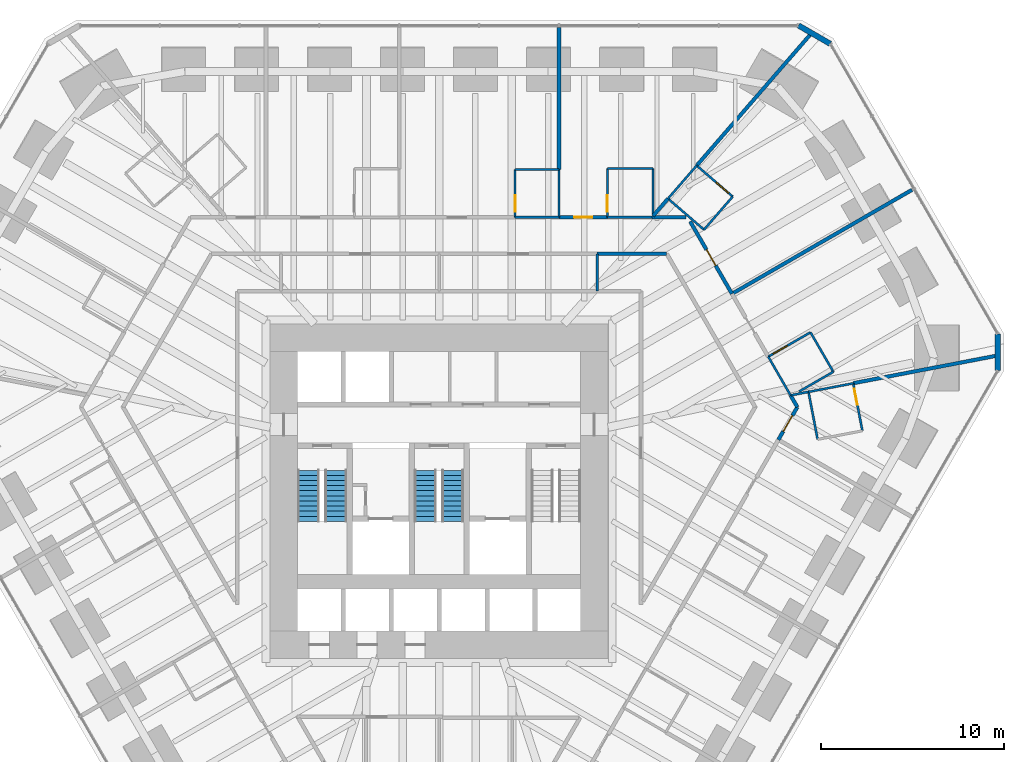
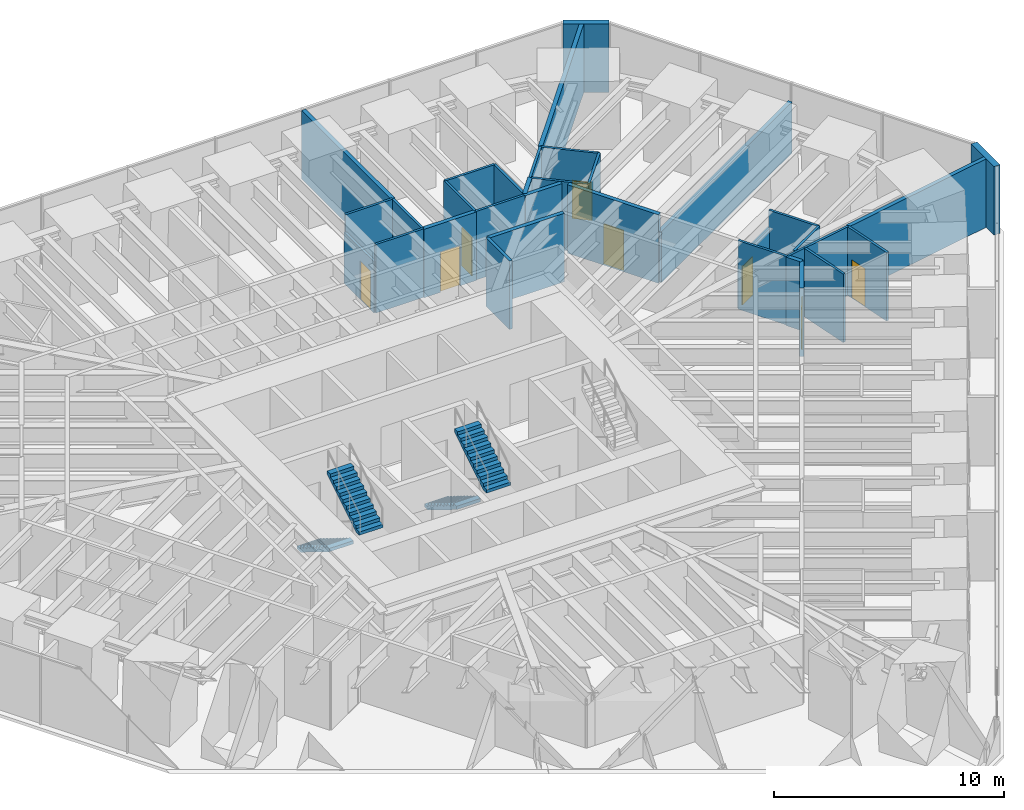
# One storey, part 15 of 17: 34 walls, 8 doors, 4 stair flights, 8 openings, 2 elements without a shape of their own.
"""IFC4 building model written with IfcOpenShell, lengths in metres."""

from ifc_helpers import new_model, si_unit, direction, frame, frame_2d, origin, place, context, subcontext, project, spatial, polyline, rectangle, outline, extrude, material, layer, layer_set, type_object, element, fill, aggregate, save


model = new_model("IFC4")

# Units and contexts
model_context = context("Model", 3, precision=1e-05, world=origin(), true_north=direction((0.0, 1.0)))
body_context = subcontext(model_context, "Body", "Model", "MODEL_VIEW")
ifc_project = project(units=[si_unit("LENGTHUNIT", "METRE"), si_unit("AREAUNIT", "SQUARE_METRE"), si_unit("VOLUMEUNIT", "CUBIC_METRE"), si_unit("PLANEANGLEUNIT", "RADIAN"), si_unit("MASSUNIT", "GRAM", prefix="KILO")], contexts=[model_context])

# Site, building, storey
site_placement = place(None, origin())
site = spatial("IfcSite", under=ifc_project, at=site_placement, CompositionType="ELEMENT")
building_placement = place(site_placement, origin())
building = spatial("IfcBuilding", under=site, at=building_placement, Name="Sandreach Pilgrim Tower", CompositionType="ELEMENT")
storey_placement = place(building_placement, frame((0.0, 0.0, 87.60009765625)))
storey = spatial("IfcBuildingStorey", under=building, at=storey_placement, Name="L21", CompositionType="ELEMENT", Elevation=87.60009765625)

# Wall
ifc_material_1 = material(Name="Gypsum board on steel studs", Category="steel")
ifc_layer_1 = layer(ifc_material_1, 0.14990234375)
ifc_layer_set_1 = layer_set([ifc_layer_1], Name="Back of house wall 150")
wall_type_1 = type_object("IfcWallType", Name="Back of house wall 150", PredefinedType="PARTITIONING", material=ifc_layer_set_1)
wall_1_placement = place(storey_placement, frame((8.64990234375, 11.449951171875, 0.0), z_axis=(0.0, 0.0, 1.0), x_axis=(0.0, -1.0, 0.0)))
element("IfcWall", 1, at=wall_1_placement, inside=storey, type_object=wall_type_1, Name="Back of house wall L21-103", PredefinedType="PARTITIONING", context=body_context, shape_type="SweptSolid", body=[
    extrude(rectangle(XDim=2.050048828125, YDim=0.14990234375, at=frame_2d((1.02490234375, 0.0))), origin(), (0.0, 0.0, 1.0), 3.639892578125),
])

# Wall, opening, door
ifc_material_2 = material(Name="Moisture-resistant gypsum board on steel studs", Category="steel")
ifc_layer_2 = layer(ifc_material_2, 0.1201171875)
ifc_layer_set_2 = layer_set([ifc_layer_2], Name="Bathroom partition 120")
wall_type_2 = type_object("IfcWallType", Name="Bathroom partition 120", PredefinedType="PARTITIONING", material=ifc_layer_set_2)
wall_2_placement = place(storey_placement, frame((4.159912109375, 16.070068359375, 0.0), z_axis=(0.0, 0.0, 1.0), x_axis=(0.0, -1.0, 0.0)))
wall_2 = element("IfcWall", 2, at=wall_2_placement, inside=storey, type_object=wall_type_2, Name="Bathroom partition L21-085", PredefinedType="PARTITIONING", context=body_context, shape_type="SweptSolid", body=[
    extrude(rectangle(XDim=2.6201171875, YDim=0.1201171875, at=frame_2d((1.31005859375, 0.0))), origin(), (0.0, 0.0, 1.0), 2.712890625),
])
opening_1_placement = place(wall_2_placement, frame((1.419921875, 0.0, 0.0)))
opening_1 = element("IfcOpeningElement", 3, at=opening_1_placement, cuts=wall_2, Name="Opening D09-03B", PredefinedType="OPENING", context=body_context, shape_type="SweptSolid", body=[
    extrude(rectangle(XDim=0.89990234375, YDim=2.030029296875, at=frame_2d((0.449951171875, 1.01513671875))), frame((0.0, 0.06005859375, 0.0), z_axis=(0.0, -1.0, 0.0), x_axis=(1.0, 0.0, 0.0)), (0.0, 0.0, 1.0), 0.1201171875),
])
ifc_material_3 = material(Name="Timber door, steel frame", Category="steel")
door_type_1 = type_object("IfcDoorType", Name="Bathroom door", OperationType="SINGLE_SWING_LEFT", PredefinedType="DOOR", material=ifc_material_3)
door_1_placement = place(opening_1_placement, origin())
door_1 = element("IfcDoor", 4, at=door_1_placement, inside=storey, type_object=door_type_1, Name="Door 2103B", OperationType="SINGLE_SWING_RIGHT", OverallHeight=2.030029296875, OverallWidth=0.89990234375, PredefinedType="DOOR", context=body_context, shape_type="SweptSolid", body=[
    extrude(rectangle(XDim=0.89990234375, YDim=2.030029296875, at=frame_2d((0.449951171875, 1.01513671875))), frame((0.0, 0.02490234375, 0.0), z_axis=(0.0, -1.0, 0.0), x_axis=(1.0, 0.0, 0.0)), (0.0, 0.0, 1.0), 0.050048828125),
])
fill(opening_1, door_1)

# Walls
for number, where, z_axis, x_axis, name in (
    (5, (6.56005859375, 13.449951171875, 0.0), (0.0, 0.0, 1.0), (-1.0, 0.0, 0.0), "Bathroom partition L21-090"),
    (6, (6.56005859375, 16.070068359375, 0.0), (0.0, 0.0, 1.0), (-1.0, 0.0, 0.0), "Bathroom partition L21-091"),
):
    element("IfcWall", number, at=place(storey_placement, frame(where, z_axis=z_axis, x_axis=x_axis)), inside=storey, type_object=wall_type_2, Name=name, PredefinedType="PARTITIONING", context=body_context, shape_type="SweptSolid", body=[
        extrude(rectangle(XDim=2.400146484375, YDim=0.1201171875, at=frame_2d((1.2001953125, 0.0))), origin(), (0.0, 0.0, 1.0), 3.639892578125),
    ])
wall_3_placement = place(storey_placement, frame((6.56005859375, 16.070068359375, 0.0), z_axis=(0.0, 0.0, 1.0), x_axis=(0.0, -1.0, 0.0)))
element("IfcWall", 7, at=wall_3_placement, inside=storey, type_object=wall_type_2, Name="Bathroom partition L21-092", PredefinedType="PARTITIONING", context=body_context, shape_type="SweptSolid", body=[
    extrude(rectangle(XDim=2.6201171875, YDim=0.1201171875, at=frame_2d((1.31005859375, 0.0))), origin(), (0.0, 0.0, 1.0), 3.639892578125),
])

# Wall, opening, door
wall_4_placement = place(storey_placement, frame((9.2099609375, 16.1201171875, 0.0), z_axis=(0.0, 0.0, 1.0), x_axis=(0.0, -1.0, 0.0)))
wall_4 = element("IfcWall", 8, at=wall_4_placement, inside=storey, type_object=wall_type_2, Name="Bathroom partition L21-107", PredefinedType="PARTITIONING", context=body_context, shape_type="SweptSolid", body=[
    extrude(rectangle(XDim=2.670166015625, YDim=0.1201171875, at=frame_2d((1.3349609375, 0.0))), origin(), (0.0, 0.0, 1.0), 3.639892578125),
])
opening_2_placement = place(wall_4_placement, frame((1.469970703125, 0.0, 0.0)))
opening_2 = element("IfcOpeningElement", 9, at=opening_2_placement, cuts=wall_4, Name="Opening D09-04B", PredefinedType="OPENING", context=body_context, shape_type="SweptSolid", body=[
    extrude(rectangle(XDim=0.89990234375, YDim=2.030029296875, at=frame_2d((0.449951171875, 1.01513671875))), frame((0.0, 0.06005859375, 0.0), z_axis=(0.0, -1.0, 0.0), x_axis=(1.0, 0.0, 0.0)), (0.0, 0.0, 1.0), 0.1201171875),
])
door_2_placement = place(opening_2_placement, origin())
door_2 = element("IfcDoor", 10, at=door_2_placement, inside=storey, type_object=door_type_1, Name="Door 2104B", OperationType="SINGLE_SWING_RIGHT", OverallHeight=2.030029296875, OverallWidth=0.89990234375, PredefinedType="DOOR", context=body_context, shape_type="SweptSolid", body=[
    extrude(rectangle(XDim=0.89990234375, YDim=2.030029296875, at=frame_2d((0.449951171875, 1.01513671875))), frame((0.0, 0.02490234375, 0.0), z_axis=(0.0, -1.0, 0.0), x_axis=(1.0, 0.0, 0.0)), (0.0, 0.0, 1.0), 0.050048828125),
])
fill(opening_2, door_2)

# Walls
wall_5_placement = place(storey_placement, frame((11.64990234375, 13.449951171875, 0.0), z_axis=(0.0, 0.0, 1.0), x_axis=(-1.0, 0.0, 0.0)))
element("IfcWall", 11, at=wall_5_placement, inside=storey, type_object=wall_type_2, Name="Bathroom partition L21-114", PredefinedType="PARTITIONING", context=body_context, shape_type="SweptSolid", body=[
    extrude(rectangle(XDim=2.43994140625, YDim=0.1201171875, at=frame_2d((1.219970703125, 0.0))), origin(), (0.0, 0.0, 1.0), 3.639892578125),
])
wall_6_placement = place(storey_placement, frame((11.7099609375, 13.60498046875, 0.0), z_axis=(0.0, 0.0, 1.0), x_axis=(0.0, 1.0, 0.0)))
element("IfcWall", 12, at=wall_6_placement, inside=storey, type_object=wall_type_2, Name="Bathroom partition L21-115", PredefinedType="PARTITIONING", context=body_context, shape_type="SweptSolid", body=[
    extrude(rectangle(XDim=2.51513671875, YDim=0.1201171875, at=frame_2d((1.257568359375, 0.0))), origin(), (0.0, 0.0, 1.0), 3.639892578125),
])
wall_7_placement = place(storey_placement, frame((11.7099609375, 16.1201171875, 0.0), z_axis=(0.0, 0.0, 1.0), x_axis=(-1.0, 0.0, 0.0)))
element("IfcWall", 13, at=wall_7_placement, inside=storey, type_object=wall_type_2, Name="Bathroom partition L21-116", PredefinedType="PARTITIONING", context=body_context, shape_type="SweptSolid", body=[
    extrude(rectangle(XDim=2.5, YDim=0.1201171875, at=frame_2d((1.25, 0.0))), origin(), (0.0, 0.0, 1.0), 3.639892578125),
])
wall_8_placement = place(storey_placement, frame((12.530029296875, 14.469970703125, 0.0), z_axis=(0.0, 0.0, 1.0), x_axis=(0.655194291402, 0.755460416245, 0.0)))
element("IfcWall", 14, at=wall_8_placement, inside=storey, type_object=wall_type_2, Name="Bathroom partition L21-120", PredefinedType="PARTITIONING", context=body_context, shape_type="SweptSolid", body=[
    extrude(rectangle(XDim=2.39599609375, YDim=0.1201171875, at=frame_2d((1.197998046875, 0.0))), origin(), (0.0, 0.0, 1.0), 3.639892578125),
])
wall_9_placement = place(storey_placement, frame((12.530029296875, 14.469970703125, 0.0), z_axis=(0.0, 0.0, 1.0), x_axis=(0.757086659925, -0.653314464377, 0.0)))
element("IfcWall", 15, at=wall_9_placement, inside=storey, type_object=wall_type_2, Name="Bathroom partition L21-121", PredefinedType="PARTITIONING", context=body_context, shape_type="SweptSolid", body=[
    extrude(rectangle(XDim=2.60205078125, YDim=0.1201171875, at=frame_2d((1.301025390625, 0.0))), origin(), (0.0, 0.0, 1.0), 3.639892578125),
])
wall_10_placement = place(storey_placement, frame((14.5, 12.77001953125, 0.0), z_axis=(0.0, 0.0, 1.0), x_axis=(0.655252439976, 0.755409981338, 0.0)))
element("IfcWall", 16, at=wall_10_placement, inside=storey, type_object=wall_type_2, Name="Bathroom partition L21-127", PredefinedType="PARTITIONING", context=body_context, shape_type="SweptSolid", body=[
    extrude(rectangle(XDim=2.396240234375, YDim=0.1201171875, at=frame_2d((1.1982421875, 0.0))), origin(), (0.0, 0.0, 1.0), 3.639892578125),
])

# Wall, opening, door
wall_11_placement = place(storey_placement, frame((16.070068359375, 14.580078125, 0.0), z_axis=(0.0, 0.0, 1.0), x_axis=(-0.757086659925, 0.653314464377, 0.0)))
wall_11 = element("IfcWall", 17, at=wall_11_placement, inside=storey, type_object=wall_type_2, Name="Bathroom partition L21-131", PredefinedType="PARTITIONING", context=body_context, shape_type="SweptSolid", body=[
    extrude(rectangle(XDim=2.60205078125, YDim=0.1201171875, at=frame_2d((1.301025390625, 0.0))), origin(), (0.0, 0.0, 1.0), 3.639892578125),
])
opening_3_placement = place(wall_11_placement, frame((0.300048828125, 0.0, 0.0)))
opening_3 = element("IfcOpeningElement", 18, at=opening_3_placement, cuts=wall_11, Name="Opening D09-05B", PredefinedType="OPENING", context=body_context, shape_type="SweptSolid", body=[
    extrude(rectangle(XDim=0.89990234375, YDim=2.030029296875, at=frame_2d((0.449951171875, 1.01513671875))), frame((0.0, 0.06005859375, 0.0), z_axis=(0.0, -1.0, 0.0), x_axis=(1.0, 0.0, 0.0)), (0.0, 0.0, 1.0), 0.1201171875),
])
door_3_placement = place(opening_3_placement, origin())
door_3 = element("IfcDoor", 19, at=door_3_placement, inside=storey, type_object=door_type_1, Name="Door 2105B", OperationType="SINGLE_SWING_LEFT", OverallHeight=2.030029296875, OverallWidth=0.89990234375, PredefinedType="DOOR", context=body_context, shape_type="SweptSolid", body=[
    extrude(rectangle(XDim=0.89990234375, YDim=2.030029296875, at=frame_2d((0.449951171875, 1.01513671875))), frame((0.0, 0.02490234375, 0.0), z_axis=(0.0, -1.0, 0.0), x_axis=(1.0, 0.0, 0.0)), (0.0, 0.0, 1.0), 0.050048828125),
])
fill(opening_3, door_3)

# Walls
wall_12_placement = place(storey_placement, frame((18.017578125, 5.818603515625, 0.0), z_axis=(0.0, 0.0, 1.0), x_axis=(0.499757016066, -0.866165645181, 0.0)))
element("IfcWall", 20, at=wall_12_placement, inside=storey, type_object=wall_type_2, Name="Bathroom partition L21-137", PredefinedType="PARTITIONING", context=body_context, shape_type="SweptSolid", body=[
    extrude(rectangle(XDim=2.446044921875, YDim=0.1201171875, at=frame_2d((1.22314453125, 0.0))), origin(), (0.0, 0.0, 1.0), 3.639892578125),
])
wall_13_placement = place(storey_placement, frame((19.2744140625, 3.706787109375, 0.0), z_axis=(0.0, 0.0, 1.0), x_axis=(0.980619649475, 0.195921165429, 0.0)))
element("IfcWall", 21, at=wall_13_placement, inside=storey, type_object=wall_type_2, Name="Bathroom partition L21-140", PredefinedType="PARTITIONING", context=body_context, shape_type="SweptSolid", body=[
    extrude(rectangle(XDim=0.963134765625, YDim=0.1201171875, at=frame_2d((0.4814453125, 0.0))), origin(), (0.0, 0.0, 1.0), 3.639892578125),
])
wall_14_placement = place(storey_placement, frame((19.708984375, 3.912109375, 0.0), z_axis=(0.0, 0.0, 1.0), x_axis=(0.86650539461, 0.499167708403, 0.0)))
element("IfcWall", 22, at=wall_14_placement, inside=storey, type_object=wall_type_2, Name="Bathroom partition L21-141", PredefinedType="PARTITIONING", context=body_context, shape_type="SweptSolid", body=[
    extrude(rectangle(XDim=2.159423828125, YDim=0.1201171875, at=frame_2d((1.07958984375, 0.0))), origin(), (0.0, 0.0, 1.0), 3.639892578125),
])
wall_15_placement = place(storey_placement, frame((20.219970703125, 3.889892578125, 0.0), z_axis=(0.0, 0.0, 1.0), x_axis=(0.18885765444, -0.982004473696, 0.0)))
element("IfcWall", 23, at=wall_15_placement, inside=storey, type_object=wall_type_2, Name="Bathroom partition L21-142", PredefinedType="PARTITIONING", context=body_context, shape_type="SweptSolid", body=[
    extrude(rectangle(XDim=2.6474609375, YDim=0.1201171875, at=frame_2d((1.32373046875, 0.0))), origin(), (0.0, 0.0, 1.0), 3.639892578125),
])
wall_16_placement = place(storey_placement, frame((20.219970703125, 3.889892578125, 0.0), z_axis=(0.0, 0.0, 1.0), x_axis=(0.982075487059, 0.1884880307, 0.0)))
element("IfcWall", 24, at=wall_16_placement, inside=storey, type_object=wall_type_2, Name="Bathroom partition L21-143", PredefinedType="PARTITIONING", context=body_context, shape_type="SweptSolid", body=[
    extrude(rectangle(XDim=2.49462890625, YDim=0.1201171875, at=frame_2d((1.247314453125, 0.0))), origin(), (0.0, 0.0, 1.0), 3.639892578125),
])

# Wall, opening, door
wall_17_placement = place(storey_placement, frame((20.330078125, 7.14990234375, 0.0), z_axis=(0.0, 0.0, 1.0), x_axis=(-0.866654860089, -0.498908161372, 0.0)))
wall_17 = element("IfcWall", 25, at=wall_17_placement, inside=storey, type_object=wall_type_2, Name="Bathroom partition L21-144", PredefinedType="PARTITIONING", context=body_context, shape_type="SweptSolid", body=[
    extrude(rectangle(XDim=2.66552734375, YDim=0.1201171875, at=frame_2d((1.332763671875, 0.0))), origin(), (0.0, 0.0, 1.0), 2.712890625),
])
opening_4_placement = place(wall_17_placement, frame((1.465576171875, 0.0, 0.0)))
opening_4 = element("IfcOpeningElement", 26, at=opening_4_placement, cuts=wall_17, Name="Opening D09-06B", PredefinedType="OPENING", context=body_context, shape_type="SweptSolid", body=[
    extrude(rectangle(XDim=0.89990234375, YDim=2.030029296875, at=frame_2d((0.449951171875, 1.01513671875))), frame((0.0, 0.06005859375, 0.0), z_axis=(0.0, -1.0, 0.0), x_axis=(1.0, 0.0, 0.0)), (0.0, 0.0, 1.0), 0.1201171875),
])
door_4_placement = place(opening_4_placement, origin())
door_4 = element("IfcDoor", 27, at=door_4_placement, inside=storey, type_object=door_type_1, Name="Door 2106B", OperationType="SINGLE_SWING_RIGHT", OverallHeight=2.030029296875, OverallWidth=0.89990234375, PredefinedType="DOOR", context=body_context, shape_type="SweptSolid", body=[
    extrude(rectangle(XDim=0.89990234375, YDim=2.030029296875, at=frame_2d((0.449951171875, 1.01513671875))), frame((0.0, 0.02490234375, 0.0), z_axis=(0.0, -1.0, 0.0), x_axis=(1.0, 0.0, 0.0)), (0.0, 0.0, 1.0), 0.050048828125),
])
fill(opening_4, door_4)

# Wall
wall_18_placement = place(storey_placement, frame((21.580078125, 4.989990234375, 0.0), z_axis=(0.0, 0.0, 1.0), x_axis=(-0.500893576935, 0.865508881864, 0.0)))
element("IfcWall", 28, at=wall_18_placement, inside=storey, type_object=wall_type_2, Name="Bathroom partition L21-146", PredefinedType="PARTITIONING", context=body_context, shape_type="SweptSolid", body=[
    extrude(rectangle(XDim=2.49560546875, YDim=0.1201171875, at=frame_2d((1.247802734375, 0.0))), origin(), (0.0, 0.0, 1.0), 3.639892578125),
])

# Wall, opening, door
wall_19_placement = place(storey_placement, frame((23.169921875, 1.760009765625, 0.0), z_axis=(0.0, 0.0, 1.0), x_axis=(-0.18885765444, 0.982004473696, 0.0)))
wall_19 = element("IfcWall", 29, at=wall_19_placement, inside=storey, type_object=wall_type_2, Name="Bathroom partition L21-148", PredefinedType="PARTITIONING", context=body_context, shape_type="SweptSolid", body=[
    extrude(rectangle(XDim=2.6474609375, YDim=0.1201171875, at=frame_2d((1.32373046875, 0.0))), origin(), (0.0, 0.0, 1.0), 3.639892578125),
])
opening_5_placement = place(wall_19_placement, frame((1.447509765625, 0.0, 0.0)))
opening_5 = element("IfcOpeningElement", 30, at=opening_5_placement, cuts=wall_19, Name="Opening D09-07B", PredefinedType="OPENING", context=body_context, shape_type="SweptSolid", body=[
    extrude(rectangle(XDim=0.89990234375, YDim=2.030029296875, at=frame_2d((0.449951171875, 1.01513671875))), frame((0.0, 0.06005859375, 0.0), z_axis=(0.0, -1.0, 0.0), x_axis=(1.0, 0.0, 0.0)), (0.0, 0.0, 1.0), 0.1201171875),
])
door_5_placement = place(opening_5_placement, origin())
door_5 = element("IfcDoor", 31, at=door_5_placement, inside=storey, type_object=door_type_1, Name="Door 2107B", OperationType="SINGLE_SWING_RIGHT", OverallHeight=2.030029296875, OverallWidth=0.89990234375, PredefinedType="DOOR", context=body_context, shape_type="SweptSolid", body=[
    extrude(rectangle(XDim=0.89990234375, YDim=2.030029296875, at=frame_2d((0.449951171875, 1.01513671875))), frame((0.0, 0.02490234375, 0.0), z_axis=(0.0, -1.0, 0.0), x_axis=(1.0, 0.0, 0.0)), (0.0, 0.0, 1.0), 0.050048828125),
])
fill(opening_5, door_5)

# Wall
ifc_material_4 = material(Name="Gypsum board on steel studs, two layers each side", Category="steel")
ifc_layer_3 = layer(ifc_material_4, 0.199951171875)
ifc_layer_set_3 = layer_set([ifc_layer_3], Name="Corridor wall 200")
wall_type_3 = type_object("IfcWallType", Name="Corridor wall 200", PredefinedType="PARTITIONING", material=ifc_layer_set_3)
wall_20_placement = place(storey_placement, frame((8.64990234375, 11.449951171875, 0.0), z_axis=(0.0, 0.0, 1.0), x_axis=(1.0, 0.0, 0.0)))
element("IfcWall", 32, at=wall_20_placement, inside=storey, type_object=wall_type_3, Name="Corridor wall L21-104", PredefinedType="PARTITIONING", context=body_context, shape_type="SweptSolid", body=[
    extrude(rectangle(XDim=3.81005859375, YDim=0.199951171875, at=frame_2d((1.905029296875, 0.0))), origin(), (0.0, 0.0, 1.0), 3.639892578125),
])

# Wall, opening, door
wall_21_placement = place(storey_placement, frame((9.2099609375, 13.449951171875, 0.0), z_axis=(0.0, 0.0, 1.0), x_axis=(-1.0, 0.0, 0.0)))
wall_21 = element("IfcWall", 33, at=wall_21_placement, inside=storey, type_object=wall_type_3, Name="Corridor wall L21-106", PredefinedType="PARTITIONING", context=body_context, shape_type="SweptSolid", body=[
    extrude(rectangle(XDim=2.64990234375, YDim=0.199951171875, at=frame_2d((1.324951171875, 0.0))), origin(), (0.0, 0.0, 1.0), 3.639892578125),
])
opening_6_placement = place(wall_21_placement, frame((0.824951171875, 0.0, 0.0)))
opening_6 = element("IfcOpeningElement", 34, at=opening_6_placement, cuts=wall_21, Name="Opening D10-04", PredefinedType="OPENING", context=body_context, shape_type="SweptSolid", body=[
    extrude(rectangle(XDim=1.0, YDim=2.1298828125, at=frame_2d((0.5, 1.06494140625))), frame((0.0, 0.10009765625, 0.0), z_axis=(0.0, -1.0, 0.0), x_axis=(1.0, 0.0, 0.0)), (0.0, 0.0, 1.0), 0.199951171875),
])
ifc_material_5 = material(Name="Steel door and frame", Category="steel")
door_type_2 = type_object("IfcDoorType", Name="Guest room entry door", OperationType="SINGLE_SWING_LEFT", PredefinedType="DOOR", material=ifc_material_5)
door_6_placement = place(opening_6_placement, origin())
door_6 = element("IfcDoor", 35, at=door_6_placement, inside=storey, type_object=door_type_2, Name="Door 2104", OperationType="SINGLE_SWING_LEFT", OverallHeight=2.1298828125, OverallWidth=1.0, PredefinedType="DOOR", context=body_context, shape_type="SweptSolid", body=[
    extrude(rectangle(XDim=1.0, YDim=2.1298828125, at=frame_2d((0.5, 1.06494140625))), frame((0.0, 0.02490234375, 0.0), z_axis=(0.0, -1.0, 0.0), x_axis=(1.0, 0.0, 0.0)), (0.0, 0.0, 1.0), 0.050048828125),
])
fill(opening_6, door_6)

# Wall
wall_22_placement = place(storey_placement, frame((13.5048828125, 13.449951171875, 0.0), z_axis=(0.0, 0.0, 1.0), x_axis=(-1.0, 0.0, 0.0)))
element("IfcWall", 36, at=wall_22_placement, inside=storey, type_object=wall_type_3, Name="Corridor wall L21-122", PredefinedType="PARTITIONING", context=body_context, shape_type="SweptSolid", body=[
    extrude(rectangle(XDim=1.85498046875, YDim=0.199951171875, at=frame_2d((0.927490234375, 0.0))), origin(), (0.0, 0.0, 1.0), 3.639892578125),
])

# Wall, opening, door
wall_23_placement = place(storey_placement, frame((13.742431640625, 13.220458984375, 0.0), z_axis=(0.0, 0.0, 1.0), x_axis=(0.500169095125, -0.865927754655, 0.0)))
wall_23 = element("IfcWall", 37, at=wall_23_placement, inside=storey, type_object=wall_type_3, Name="Corridor wall L21-124", PredefinedType="PARTITIONING", context=body_context, shape_type="SweptSolid", body=[
    extrude(rectangle(XDim=4.57373046875, YDim=0.199951171875, at=frame_2d((2.286865234375, 0.0))), origin(), (0.0, 0.0, 1.0), 3.639892578125),
])
opening_7_placement = place(wall_23_placement, frame((1.786865234375, 0.0, 0.0)))
opening_7 = element("IfcOpeningElement", 38, at=opening_7_placement, cuts=wall_23, Name="Opening D10-05", PredefinedType="OPENING", context=body_context, shape_type="SweptSolid", body=[
    extrude(rectangle(XDim=1.0, YDim=2.1298828125, at=frame_2d((0.5, 1.06494140625))), frame((0.0, 0.10009765625, 0.0), z_axis=(0.0, -1.0, 0.0), x_axis=(1.0, 0.0, 0.0)), (0.0, 0.0, 1.0), 0.199951171875),
])
door_7_placement = place(opening_7_placement, origin())
door_7 = element("IfcDoor", 39, at=door_7_placement, inside=storey, type_object=door_type_2, Name="Door 2105", OperationType="SINGLE_SWING_LEFT", OverallHeight=2.1298828125, OverallWidth=1.0, PredefinedType="DOOR", context=body_context, shape_type="SweptSolid", body=[
    extrude(rectangle(XDim=1.0, YDim=2.1298828125, at=frame_2d((0.5, 1.06494140625))), frame((0.0, 0.02490234375, 0.0), z_axis=(0.0, -1.0, 0.0), x_axis=(1.0, 0.0, 0.0)), (0.0, 0.0, 1.0), 0.050048828125),
])
fill(opening_7, door_7)

wall_24_placement = place(storey_placement, frame((18.570068359375, 1.27001953125, 0.0), z_axis=(0.0, 0.0, 1.0), x_axis=(0.502374475056, 0.864650152843, 0.0)))
wall_24 = element("IfcWall", 40, at=wall_24_placement, inside=storey, type_object=wall_type_3, Name="Corridor wall L21-138", PredefinedType="PARTITIONING", context=body_context, shape_type="SweptSolid", body=[
    extrude(rectangle(XDim=2.0703125, YDim=0.199951171875, at=frame_2d((1.03515625, 0.0))), origin(), (0.0, 0.0, 1.0), 3.639892578125),
])
opening_8_placement = place(wall_24_placement, frame((0.53515625, 0.0, 0.0)))
opening_8 = element("IfcOpeningElement", 41, at=opening_8_placement, cuts=wall_24, Name="Opening D10-07", PredefinedType="OPENING", context=body_context, shape_type="SweptSolid", body=[
    extrude(rectangle(XDim=1.0, YDim=2.1298828125, at=frame_2d((0.5, 1.06494140625))), frame((0.0, 0.10009765625, 0.0), z_axis=(0.0, -1.0, 0.0), x_axis=(1.0, 0.0, 0.0)), (0.0, 0.0, 1.0), 0.199951171875),
])
door_8_placement = place(opening_8_placement, origin())
door_8 = element("IfcDoor", 42, at=door_8_placement, inside=storey, type_object=door_type_2, Name="Door 2107", OperationType="SINGLE_SWING_LEFT", OverallHeight=2.1298828125, OverallWidth=1.0, PredefinedType="DOOR", context=body_context, shape_type="SweptSolid", body=[
    extrude(rectangle(XDim=1.0, YDim=2.1298828125, at=frame_2d((0.5, 1.06494140625))), frame((0.0, 0.02490234375, 0.0), z_axis=(0.0, -1.0, 0.0), x_axis=(1.0, 0.0, 0.0)), (0.0, 0.0, 1.0), 0.050048828125),
])
fill(opening_8, door_8)

# Walls
wall_25_placement = place(storey_placement, frame((19.239990234375, 3.699951171875, 0.0), z_axis=(0.0, 0.0, 1.0), x_axis=(0.50068472101, -0.865629718844, 0.0)))
element("IfcWall", 43, at=wall_25_placement, inside=storey, type_object=wall_type_3, Name="Corridor wall L21-139", PredefinedType="PARTITIONING", context=body_context, shape_type="SweptSolid", body=[
    extrude(rectangle(XDim=0.7392578125, YDim=0.199951171875, at=frame_2d((0.36962890625, 0.0))), origin(), (0.0, 0.0, 1.0), 3.639892578125),
])
ifc_material_6 = material(Name="Double steel stud acoustic wall, gypsum board", Category="steel")
ifc_layer_4 = layer(ifc_material_6, 0.199951171875)
ifc_layer_set_4 = layer_set([ifc_layer_4], Name="Party wall 200")
wall_type_4 = type_object("IfcWallType", Name="Party wall 200", PredefinedType="PARTITIONING", material=ifc_layer_set_4)
wall_26_placement = place(storey_placement, frame((6.56005859375, 23.830078125, 0.0), z_axis=(0.0, 0.0, 1.0), x_axis=(0.0, -1.0, 0.0)))
element("IfcWall", 44, at=wall_26_placement, inside=storey, type_object=wall_type_4, Name="Party wall L21-093", PredefinedType="PARTITIONING", context=body_context, shape_type="SweptSolid", body=[
    extrude(rectangle(XDim=7.760009765625, YDim=0.199951171875, at=frame_2d((3.8798828125, 0.0))), origin(), (0.0, 0.0, 1.0), 3.639892578125),
])
wall_27_placement = place(storey_placement, frame((11.715087890625, 13.525634765625, 0.0), z_axis=(0.0, 0.0, 1.0), x_axis=(0.653334457224, 0.757069406993, 0.0)))
element("IfcWall", 45, at=wall_27_placement, inside=storey, type_object=wall_type_4, Name="Party wall L21-117", PredefinedType="PARTITIONING", context=body_context, shape_type="SweptSolid", body=[
    extrude(rectangle(XDim=1.247314453125, YDim=0.199951171875, at=frame_2d((0.62353515625, 0.0))), origin(), (0.0, 0.0, 1.0), 3.639892578125),
])
wall_28_placement = place(storey_placement, frame((14.10009765625, 16.280029296875, 0.0), z_axis=(0.0, 0.0, 1.0), x_axis=(0.655045529498, 0.755589408531, 0.0)))
element("IfcWall", 46, at=wall_28_placement, inside=storey, type_object=wall_type_4, Name="Party wall L21-125", PredefinedType="PARTITIONING", context=body_context, shape_type="SweptSolid", body=[
    extrude(rectangle(XDim=9.6181640625, YDim=0.199951171875, at=frame_2d((4.80908203125, 0.0))), origin(), (0.0, 0.0, 1.0), 3.639892578125),
])
wall_29_placement = place(storey_placement, frame((22.6689453125, 4.365966796875, 0.0), z_axis=(0.0, 0.0, 1.0), x_axis=(0.982123058559, 0.188240000653, 0.0)))
element("IfcWall", 47, at=wall_29_placement, inside=storey, type_object=wall_type_4, Name="Party wall L21-147", PredefinedType="PARTITIONING", context=body_context, shape_type="SweptSolid", body=[
    extrude(rectangle(XDim=8.06591796875, YDim=0.199951171875, at=frame_2d((4.032958984375, 0.0))), origin(), (0.0, 0.0, 1.0), 3.639892578125),
])
wall_30_placement = place(storey_placement, frame((25.885986328125, 14.949951171875, 0.0), z_axis=(0.0, 0.0, 1.0), x_axis=(-0.86604429266, -0.499967282081, 0.0)))
element("IfcWall", 48, at=wall_30_placement, inside=storey, type_object=wall_type_4, Name="Party wall L21-149", PredefinedType="PARTITIONING", context=body_context, shape_type="SweptSolid", body=[
    extrude(rectangle(XDim=11.365478515625, YDim=0.199951171875, at=frame_2d((5.6826171875, 0.0))), origin(), (0.0, 0.0, 1.0), 2.712890625),
])
ifc_material_7 = material(Name="Terracotta rainscreen on concrete", Category="masonry")
ifc_layer_5 = layer(ifc_material_7, 0.300048828125)
ifc_layer_set_5 = layer_set([ifc_layer_5], Name="Terracotta chamfer pier")
wall_type_5 = type_object("IfcWallType", Name="Terracotta chamfer pier", PredefinedType="SOLIDWALL", material=ifc_layer_set_5)
for number, where, z_axis, x_axis, name in (
    (49, (19.672119140625, 23.94873046875, 0.0), (0.0, 0.0, 1.0), (0.866010750942, -0.50002537861, 0.0), "Chamfer pier L21 N"),
    (50, (30.576171875, 7.062255859375, 0.0), (0.0, 0.0, 1.0), (0.0, -1.0, 0.0), "Chamfer pier L21 NE"),
):
    element("IfcWall", number, at=place(storey_placement, frame(where, z_axis=z_axis, x_axis=x_axis)), inside=storey, type_object=wall_type_5, Name=name, PredefinedType="SOLIDWALL", context=body_context, shape_type="SweptSolid", body=[
        extrude(rectangle(XDim=2.0, YDim=0.300048828125, at=frame_2d((1.0, 0.0))), origin(), (0.0, 0.0, 1.0), 3.639892578125),
    ])

# Stair, stair flights
ifc_material_8 = material(Name="Concrete 8000 psi", Category="concrete")
stair_type = type_object("IfcStairType", Name="Core exit stair", PredefinedType="HALF_TURN_STAIR", material=ifc_material_8)
stair_1_placement = place(storey_placement, origin())
stair_1 = element("IfcStair", 51, at=stair_1_placement, inside=storey, type_object=stair_type, Name="Exit stair ST1 L21", PredefinedType="HALF_TURN_STAIR")
ifc_material_9 = material(Name="Concrete 8000 psi", Category="concrete")
stair_flight_type = type_object("IfcStairFlightType", Name="Core stair flight 1200", PredefinedType="STRAIGHT", material=ifc_material_9)
stair_flight_1_placement = place(storey_placement, frame((-7.14990234375, -0.39990234375, 0.0), z_axis=(0.0, 0.0, 1.0), x_axis=(0.0, -1.0, 0.0)))
stair_flight_1 = element("IfcStairFlight", 52, at=stair_flight_1_placement, type_object=stair_flight_type, Name="ST1 flight 1", NumberOfRisers=11, NumberOfTreads=10, PredefinedType="STRAIGHT", RiserHeight=0.172727273, TreadLength=0.28, context=body_context, shape_type="SweptSolid", body=[
    extrude(outline(polyline([(0.0, 0.0), (0.0, 0.172607421875), (0.280029296875, 0.172607421875), (0.280029296875, 0.345458984375), (0.56005859375, 0.345458984375), (0.56005859375, 0.51806640625), (0.840087890625, 0.51806640625), (0.840087890625, 0.69091796875), (1.1201171875, 0.69091796875), (1.1201171875, 0.863525390625), (1.39990234375, 0.863525390625), (1.39990234375, 1.036376953125), (1.679931640625, 1.036376953125), (1.679931640625, 1.208984375), (1.9599609375, 1.208984375), (1.9599609375, 1.3818359375), (2.239990234375, 1.3818359375), (2.239990234375, 1.554443359375), (2.52001953125, 1.554443359375), (2.52001953125, 1.727294921875), (2.800048828125, 1.727294921875), (2.800048828125, 1.89990234375), (2.800048828125, 1.551025390625), (0.285400390625, 0.0), (0.0, 0.0)])), frame((0.0, 0.60009765625, 0.0), z_axis=(0.0, -1.0, 0.0), x_axis=(1.0, 0.0, 0.0)), (0.0, 0.0, 1.0), 1.199951171875),
])
stair_flight_2_placement = place(storey_placement, frame((-5.64990234375, -3.199951171875, 1.89990234375), z_axis=(0.0, 0.0, 1.0), x_axis=(0.0, 1.0, 0.0)))
stair_flight_2 = element("IfcStairFlight", 53, at=stair_flight_2_placement, type_object=stair_flight_type, Name="ST1 flight 2", NumberOfRisers=11, NumberOfTreads=10, PredefinedType="STRAIGHT", RiserHeight=0.172727273, TreadLength=0.28, context=body_context, shape_type="SweptSolid", body=[
    extrude(outline(polyline([(0.0, 0.0), (0.0, 0.172607421875), (0.280029296875, 0.172607421875), (0.280029296875, 0.345458984375), (0.56005859375, 0.345458984375), (0.56005859375, 0.51806640625), (0.840087890625, 0.51806640625), (0.840087890625, 0.69091796875), (1.1201171875, 0.69091796875), (1.1201171875, 0.863525390625), (1.39990234375, 0.863525390625), (1.39990234375, 1.036376953125), (1.679931640625, 1.036376953125), (1.679931640625, 1.208984375), (1.9599609375, 1.208984375), (1.9599609375, 1.3818359375), (2.239990234375, 1.3818359375), (2.239990234375, 1.554443359375), (2.52001953125, 1.554443359375), (2.52001953125, 1.727294921875), (2.800048828125, 1.727294921875), (2.800048828125, 1.89990234375), (2.800048828125, 1.551025390625), (0.285400390625, 0.0), (0.0, 0.0)])), frame((0.0, 0.60009765625, 0.0), z_axis=(0.0, -1.0, 0.0), x_axis=(1.0, 0.0, 0.0)), (0.0, 0.0, 1.0), 1.199951171875),
])
aggregate(stair_1, [stair_flight_1, stair_flight_2])

stair_2_placement = place(storey_placement, origin())
stair_2 = element("IfcStair", 54, at=stair_2_placement, inside=storey, type_object=stair_type, Name="Exit stair ST3 L21", PredefinedType="HALF_TURN_STAIR")
stair_flight_3_placement = place(storey_placement, frame((-0.75, -0.39990234375, 0.0), z_axis=(0.0, 0.0, 1.0), x_axis=(0.0, -1.0, 0.0)))
stair_flight_3 = element("IfcStairFlight", 55, at=stair_flight_3_placement, type_object=stair_flight_type, Name="ST3 flight 1", NumberOfRisers=11, NumberOfTreads=10, PredefinedType="STRAIGHT", RiserHeight=0.172727273, TreadLength=0.28, context=body_context, shape_type="SweptSolid", body=[
    extrude(outline(polyline([(0.0, 0.0), (0.0, 0.172607421875), (0.280029296875, 0.172607421875), (0.280029296875, 0.345458984375), (0.56005859375, 0.345458984375), (0.56005859375, 0.51806640625), (0.840087890625, 0.51806640625), (0.840087890625, 0.69091796875), (1.1201171875, 0.69091796875), (1.1201171875, 0.863525390625), (1.39990234375, 0.863525390625), (1.39990234375, 1.036376953125), (1.679931640625, 1.036376953125), (1.679931640625, 1.208984375), (1.9599609375, 1.208984375), (1.9599609375, 1.3818359375), (2.239990234375, 1.3818359375), (2.239990234375, 1.554443359375), (2.52001953125, 1.554443359375), (2.52001953125, 1.727294921875), (2.800048828125, 1.727294921875), (2.800048828125, 1.89990234375), (2.800048828125, 1.551025390625), (0.285400390625, 0.0), (0.0, 0.0)])), frame((0.0, 0.60009765625, 0.0), z_axis=(0.0, -1.0, 0.0), x_axis=(1.0, 0.0, 0.0)), (0.0, 0.0, 1.0), 1.199951171875),
])
stair_flight_4_placement = place(storey_placement, frame((0.75, -3.199951171875, 1.89990234375), z_axis=(0.0, 0.0, 1.0), x_axis=(0.0, 1.0, 0.0)))
stair_flight_4 = element("IfcStairFlight", 56, at=stair_flight_4_placement, type_object=stair_flight_type, Name="ST3 flight 2", NumberOfRisers=11, NumberOfTreads=10, PredefinedType="STRAIGHT", RiserHeight=0.172727273, TreadLength=0.28, context=body_context, shape_type="SweptSolid", body=[
    extrude(outline(polyline([(0.0, 0.0), (0.0, 0.172607421875), (0.280029296875, 0.172607421875), (0.280029296875, 0.345458984375), (0.56005859375, 0.345458984375), (0.56005859375, 0.51806640625), (0.840087890625, 0.51806640625), (0.840087890625, 0.69091796875), (1.1201171875, 0.69091796875), (1.1201171875, 0.863525390625), (1.39990234375, 0.863525390625), (1.39990234375, 1.036376953125), (1.679931640625, 1.036376953125), (1.679931640625, 1.208984375), (1.9599609375, 1.208984375), (1.9599609375, 1.3818359375), (2.239990234375, 1.3818359375), (2.239990234375, 1.554443359375), (2.52001953125, 1.554443359375), (2.52001953125, 1.727294921875), (2.800048828125, 1.727294921875), (2.800048828125, 1.89990234375), (2.800048828125, 1.551025390625), (0.285400390625, 0.0), (0.0, 0.0)])), frame((0.0, 0.60009765625, 0.0), z_axis=(0.0, -1.0, 0.0), x_axis=(1.0, 0.0, 0.0)), (0.0, 0.0, 1.0), 1.199951171875),
])
aggregate(stair_2, [stair_flight_3, stair_flight_4])

save(model, "model.ifc")
